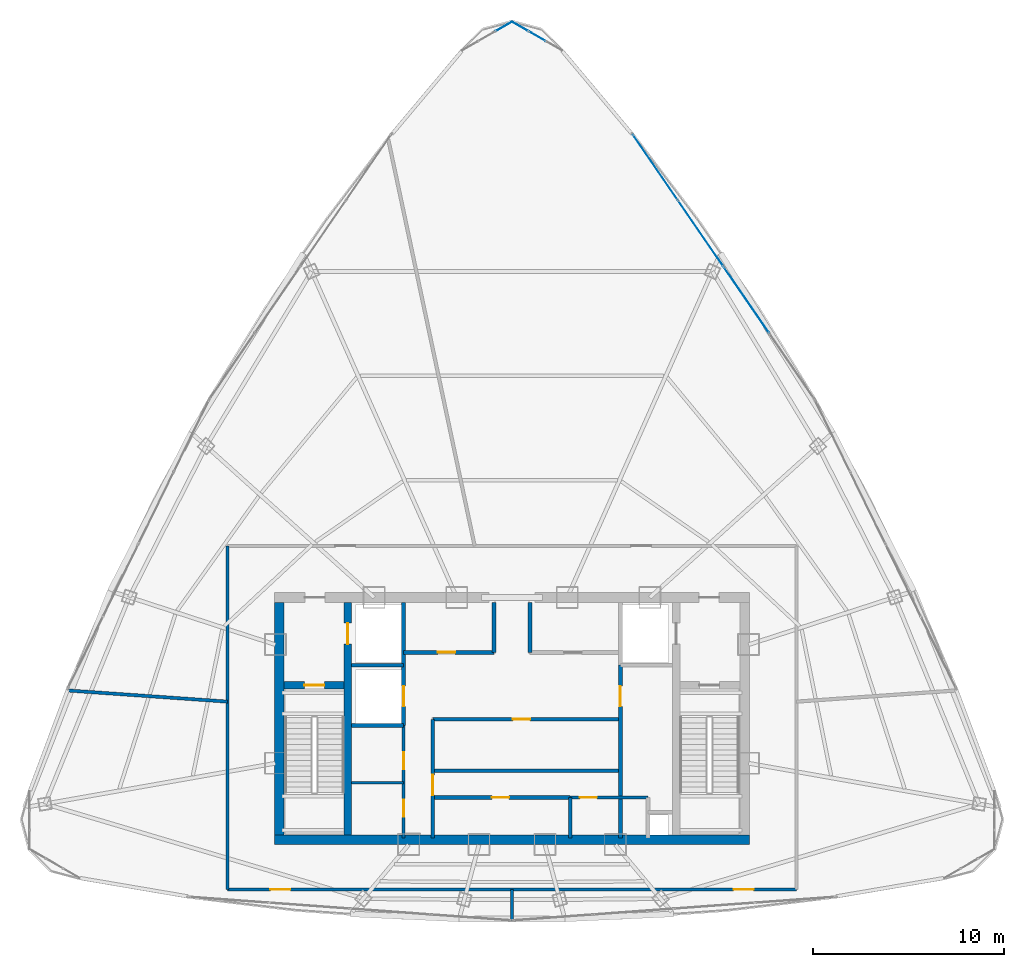
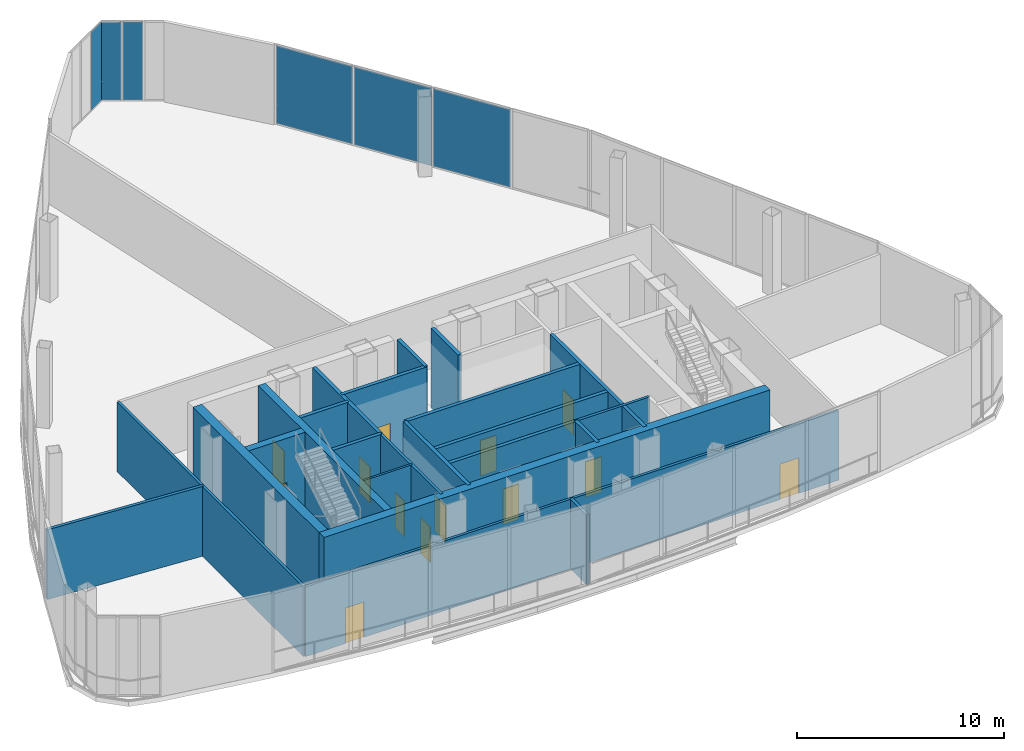
# One storey, part 29 of 33: 23 walls, 13 doors, 6 plates, 13 openings, 3 elements without a shape of their own.
"""IFC4 building model written with IfcOpenShell, lengths in metres."""

from ifc_helpers import new_model, si_unit, direction, frame, frame_2d, origin, origin_with_axes, origin_2d, place, context, subcontext, project, spatial, rectangle, extrude, source, transform, mapped, material, layer, layer_set, type_object, element, fill, aggregate, save


model = new_model("IFC4")

# Units and contexts
model_context = context("Model", 3, precision=1e-05, world=origin(), true_north=direction((0.0, 1.0)))
body_context = subcontext(model_context, "Body", "Model", "MODEL_VIEW")
ifc_project = project(units=[si_unit("LENGTHUNIT", "METRE"), si_unit("AREAUNIT", "SQUARE_METRE"), si_unit("VOLUMEUNIT", "CUBIC_METRE"), si_unit("PLANEANGLEUNIT", "RADIAN"), si_unit("MASSUNIT", "GRAM", prefix="KILO"), si_unit("THERMODYNAMICTEMPERATUREUNIT", "KELVIN"), si_unit("POWERUNIT", "WATT")], contexts=[model_context])

# Site, building, storey
site_placement = place(None, origin())
site = spatial("IfcSite", under=ifc_project, at=site_placement, CompositionType="ELEMENT")
building_placement = place(site_placement, origin())
building = spatial("IfcBuilding", under=site, at=building_placement, Name="Yunzhuo Pagoda Commons", CompositionType="ELEMENT")
storey_placement = place(building_placement, frame((0.0, 0.0, 386.760009765625)))
storey = spatial("IfcBuildingStorey", under=building, at=storey_placement, Name="L96", CompositionType="ELEMENT", Elevation=386.760009765625)

# Curtain wall, plates
ifc_material_1 = material(Name="Anodized aluminium 6063-T6", Category="aluminium")
ifc_layer_1 = layer(ifc_material_1, 0.179931640625)
ifc_layer_set_1 = layer_set([ifc_layer_1], Name="Anodized aluminium 6063-T6")
curtain_wall_type_1 = type_object("IfcCurtainWallType", Name="CW-CRN Crown Gable Glazing System", PredefinedType="NOTDEFINED", material=ifc_layer_set_1)
curtain_wall_1_placement = place(storey_placement, origin())
curtain_wall_1 = element("IfcCurtainWall", 1, at=curtain_wall_1_placement, inside=storey, type_object=curtain_wall_type_1, Name="L96 curtain wall CW-L96-CRNF2G2", PredefinedType="NOTDEFINED")
ifc_material_2 = material(Name="Tempered low-e double glazing", Category="glass")
ifc_layer_2 = layer(ifc_material_2, 0.030029296875)
ifc_layer_set_2 = layer_set([ifc_layer_2], Name="Tempered low-e double glazing")
plate_type_1 = type_object("IfcPlateType", Name="CW-CRN-P Low-E Double Glazing 30", PredefinedType="CURTAIN_PANEL", material=ifc_layer_set_2)
shared_shape_1 = source(origin(), body_context, "Body", "SweptSolid", [
    extrude(rectangle(XDim=4.125244140625, YDim=0.028076171875, at=origin_2d()), origin(), (0.0, 0.0, 1.0), 4.60009765625),
])
plate_1_placement = place(storey_placement, frame((55.507080078125, 62.74169921875, 0.06005859375), z_axis=(0.0, 0.0, 1.0), x_axis=(-0.566158911561, 0.824296116005, 0.0)))
plate_1 = element("IfcPlate", 2, at=plate_1_placement, type_object=plate_type_1, Name="CW panel 4.1", PredefinedType="CURTAIN_PANEL", context=body_context, shape_type="MappedRepresentation", body=[
    mapped(shared_shape_1, transform((0.0, 0.0, 0.0), scale=1.0)),
])
shared_shape_2 = source(origin(), body_context, "Body", "SweptSolid", [
    extrude(rectangle(XDim=4.15771484375, YDim=0.028076171875, at=origin_2d()), origin(), (0.0, 0.0, 1.0), 4.60009765625),
])
plate_2_placement = place(storey_placement, frame((60.279296875, 55.793701171875, 0.06005859375), z_axis=(0.0, 0.0, 1.0), x_axis=(-0.566158911561, 0.824296116005, 0.0)))
plate_2 = element("IfcPlate", 3, at=plate_2_placement, type_object=plate_type_1, Name="CW panel 2.1", PredefinedType="CURTAIN_PANEL", context=body_context, shape_type="MappedRepresentation", body=[
    mapped(shared_shape_2, transform((0.0, 0.0, 0.0), scale=1.0)),
])
plate_3_placement = place(storey_placement, frame((57.888671875, 59.2744140625, 0.06005859375), z_axis=(0.0, 0.0, 1.0), x_axis=(-0.566158911561, 0.824296116005, 0.0)))
plate_3 = element("IfcPlate", 4, at=plate_3_placement, type_object=plate_type_1, Name="CW panel 3.1", PredefinedType="CURTAIN_PANEL", context=body_context, shape_type="MappedRepresentation", body=[
    mapped(shared_shape_2, transform((0.0, 0.0, 0.0), scale=1.0)),
])
aggregate(curtain_wall_1, [plate_2, plate_3, plate_1])

# Curtain wall, plate
ifc_layer_3 = layer(ifc_material_1, 0.1298828125)
ifc_layer_set_3 = layer_set([ifc_layer_3], Name="Anodized aluminium 6063-T6")
curtain_wall_type_2 = type_object("IfcCurtainWallType", Name="CW-VTX Rounded Corner Curtain Wall", PredefinedType="NOTDEFINED", material=ifc_layer_set_3)
curtain_wall_2_placement = place(storey_placement, origin())
curtain_wall_2 = element("IfcCurtainWall", 5, at=curtain_wall_2_placement, inside=storey, type_object=curtain_wall_type_2, Name="L96 curtain wall CW-L96-CRNV3S1", PredefinedType="NOTDEFINED")
ifc_layer_4 = layer(ifc_material_2, 0.02587890625)
ifc_layer_set_4 = layer_set([ifc_layer_4], Name="Tempered low-e double glazing")
plate_type_2 = type_object("IfcPlateType", Name="CW-VTX-P Low-E Double Glazing 26", PredefinedType="CURTAIN_PANEL", material=ifc_layer_set_4)
shared_shape_3 = source(origin(), body_context, "Body", "SweptSolid", [
    extrude(rectangle(XDim=0.957275390625, YDim=0.028076171875, at=origin_2d()), origin(), (0.0, 0.0, 1.0), 4.610107421875),
])
plate_4_placement = place(storey_placement, frame((48.4228515625, 70.122314453125, 0.05517578125), z_axis=(0.0, 0.0, 1.0), x_axis=(-0.867213359154, 0.497936732633, 0.0)))
plate_4 = element("IfcPlate", 6, at=plate_4_placement, type_object=plate_type_2, Name="CW panel 3.1", PredefinedType="CURTAIN_PANEL", context=body_context, shape_type="MappedRepresentation", body=[
    mapped(shared_shape_3, transform((0.0, 0.0, 0.0), scale=1.0)),
])

curtain_wall_3_placement = place(storey_placement, origin())
curtain_wall_3 = element("IfcCurtainWall", 7, at=curtain_wall_3_placement, inside=storey, type_object=curtain_wall_type_2, Name="L96 curtain wall CW-L96-CRNV3S2", PredefinedType="NOTDEFINED")
plate_5_placement = place(storey_placement, frame((47.5771484375, 70.122314453125, 0.05517578125), z_axis=(0.0, 0.0, 1.0), x_axis=(-0.867213359154, -0.497936732633, 0.0)))
plate_5 = element("IfcPlate", 8, at=plate_5_placement, type_object=plate_type_2, Name="CW panel 1.1", PredefinedType="CURTAIN_PANEL", context=body_context, shape_type="MappedRepresentation", body=[
    mapped(shared_shape_3, transform((0.0, 0.0, 0.0), scale=1.0)),
])
aggregate(curtain_wall_3, [plate_5])

# Plate
shared_shape_4 = source(origin(), body_context, "Body", "SweptSolid", [
    extrude(rectangle(XDim=0.984619140625, YDim=0.028076171875, at=origin_2d()), origin(), (0.0, 0.0, 1.0), 4.610107421875),
])
plate_6_placement = place(storey_placement, frame((49.312744140625, 69.611328125, 0.05517578125), z_axis=(0.0, 0.0, 1.0), x_axis=(-0.867213359154, 0.497936732633, 0.0)))
plate_6 = element("IfcPlate", 9, at=plate_6_placement, type_object=plate_type_2, Name="CW panel 2.1", PredefinedType="CURTAIN_PANEL", context=body_context, shape_type="MappedRepresentation", body=[
    mapped(shared_shape_4, transform((0.0, 0.0, 0.0), scale=1.0)),
])

aggregate(curtain_wall_2, [plate_6, plate_4])

# Walls
ifc_material_3 = material(Name="Concrete C50", Category="concrete")
ifc_layer_5 = layer(ifc_material_3, 0.5)
ifc_layer_set_5 = layer_set([ifc_layer_5], Name="Concrete C50")
wall_type_1 = type_object("IfcWallType", Name="W-C03 Upper Core Shear Wall 500", PredefinedType="SHEAR", material=ifc_layer_set_5)
wall_1_placement = place(storey_placement, frame((35.550048828125, 27.5, 0.0), z_axis=(0.0, 0.0, 1.0), x_axis=(1.0, 0.0, 0.0)))
element("IfcWall", 10, at=wall_1_placement, inside=storey, type_object=wall_type_1, Name="L96 core shear wall S", PredefinedType="SHEAR", context=body_context, shape_type="SweptSolid", body=[
    extrude(rectangle(XDim=24.89990234375, YDim=0.5, at=frame_2d((12.449951171875, 0.0))), origin(), (0.0, 0.0, 1.0), 4.719970703125),
])
wall_2_placement = place(storey_placement, frame((35.800048828125, 27.75, 0.0), z_axis=(0.0, 0.0, 1.0), x_axis=(0.0, 1.0, 0.0)))
element("IfcWall", 11, at=wall_2_placement, inside=storey, type_object=wall_type_1, Name="L96 core shear wall W", PredefinedType="SHEAR", context=body_context, shape_type="SweptSolid", body=[
    extrude(rectangle(XDim=12.199951171875, YDim=0.5, at=frame_2d((6.10009765625, 0.0))), origin(), (0.0, 0.0, 1.0), 4.719970703125),
])

# Wall, openings, doors
ifc_material_4 = material(Name="Gypsum plasterboard on acoustic stud")
ifc_layer_6 = layer(ifc_material_4, 0.14990234375)
ifc_layer_set_6 = layer_set([ifc_layer_6], Name="Gypsum plasterboard on acoustic stud")
wall_type_2 = type_object("IfcWallType", Name="W-COR3 High-Zone Rated Corridor Wall 150", PredefinedType="PARTITIONING", material=ifc_layer_set_6)
wall_3_placement = place(storey_placement, frame((42.320068359375, 27.60009765625, 0.0), z_axis=(0.0, 0.0, 1.0), x_axis=(0.0, 1.0, 0.0)))
wall_3 = element("IfcWall", 12, at=wall_3_placement, inside=storey, type_object=wall_type_2, Name="L96 interior wall IW-L96-CSWE", PredefinedType="PARTITIONING", context=body_context, shape_type="SweptSolid", body=[
    extrude(rectangle(XDim=5.89990234375, YDim=0.14990234375, at=frame_2d((2.949951171875, 0.0))), origin(), (0.0, 0.0, 1.0), 4.719970703125),
])
opening_1_placement = place(wall_3_placement, frame((1.10009765625, 0.0, 0.0)))
opening_1 = element("IfcOpeningElement", 13, at=opening_1_placement, cuts=wall_3, Name="Opening D-03", PredefinedType="OPENING", context=body_context, shape_type="SweptSolid", body=[
    extrude(rectangle(XDim=0.89990234375, YDim=2.10009765625, at=frame_2d((0.449951171875, 1.050048828125))), frame((0.0, 0.0849609375, 0.0), z_axis=(0.0, -1.0, 0.0), x_axis=(1.0, 0.0, 0.0)), (0.0, 0.0, 1.0), 0.169921875),
])
opening_2_placement = place(wall_3_placement, frame((3.60009765625, 0.0, 0.0)))
opening_2 = element("IfcOpeningElement", 14, at=opening_2_placement, cuts=wall_3, Name="Opening D-03", PredefinedType="OPENING", context=body_context, shape_type="SweptSolid", body=[
    extrude(rectangle(XDim=0.89990234375, YDim=2.10009765625, at=frame_2d((0.449951171875, 1.050048828125))), frame((0.0, 0.0849609375, 0.0), z_axis=(0.0, -1.0, 0.0), x_axis=(1.0, 0.0, 0.0)), (0.0, 0.0, 1.0), 0.169921875),
])
ifc_material_5 = material(Name="Galvanized fire-resisting metal leaf")
door_type_1 = type_object("IfcDoorType", Name="D-03 Core Service Fire Door 900x2100", OperationType="NOTDEFINED", PredefinedType="DOOR", material=ifc_material_5)
shared_shape_5 = source(origin(), body_context, "Body", "SweptSolid", [
    extrude(rectangle(XDim=0.89990234375, YDim=2.10009765625, at=frame_2d((0.449951171875, 1.050048828125))), frame((0.0, 0.02490234375, 0.0), z_axis=(0.0, -1.0, 0.0), x_axis=(1.0, 0.0, 0.0)), (0.0, 0.0, 1.0), 0.050048828125),
])
door_1_placement = place(opening_1_placement, origin_with_axes())
door_1 = element("IfcDoor", 15, at=door_1_placement, inside=storey, type_object=door_type_1, Name="L96 housekeeping door", OperationType="SINGLE_SWING_RIGHT", OverallHeight=2.10009765625, OverallWidth=0.89990234375, PredefinedType="DOOR", context=body_context, shape_type="MappedRepresentation", body=[
    mapped(shared_shape_5, transform((0.0, 0.0, 0.0), scale=1.0)),
])
fill(opening_1, door_1)
door_2_placement = place(opening_2_placement, origin_with_axes())
door_2 = element("IfcDoor", 16, at=door_2_placement, inside=storey, type_object=door_type_1, Name="L96 core control door", OperationType="SINGLE_SWING_RIGHT", OverallHeight=2.10009765625, OverallWidth=0.89990234375, PredefinedType="DOOR", context=body_context, shape_type="MappedRepresentation", body=[
    mapped(shared_shape_5, transform((0.0, 0.0, 0.0), scale=1.0)),
])
fill(opening_2, door_2)

# Wall, opening, door
wall_4_placement = place(storey_placement, frame((51.050048828125, 29.719970703125, 0.0), z_axis=(0.0, 0.0, 1.0), x_axis=(1.0, 0.0, 0.0)))
wall_4 = element("IfcWall", 17, at=wall_4_placement, inside=storey, type_object=wall_type_2, Name="L96 interior wall IW-L96-CSES", PredefinedType="PARTITIONING", context=body_context, shape_type="SweptSolid", body=[
    extrude(rectangle(XDim=4.070068359375, YDim=0.14990234375, at=frame_2d((2.03515625, 0.0))), origin(), (0.0, 0.0, 1.0), 4.719970703125),
])
opening_3_placement = place(wall_4_placement, frame((0.5, 0.0, 0.0)))
opening_3 = element("IfcOpeningElement", 18, at=opening_3_placement, cuts=wall_4, Name="Opening D-03", PredefinedType="OPENING", context=body_context, shape_type="SweptSolid", body=[
    extrude(rectangle(XDim=0.89990234375, YDim=2.10009765625, at=frame_2d((0.449951171875, 1.050048828125))), frame((0.0, 0.0849609375, 0.0), z_axis=(0.0, -1.0, 0.0), x_axis=(1.0, 0.0, 0.0)), (0.0, 0.0, 1.0), 0.169921875),
])
door_3_placement = place(opening_3_placement, origin_with_axes())
door_3 = element("IfcDoor", 19, at=door_3_placement, inside=storey, type_object=door_type_1, Name="L96 IT closet door", OperationType="SINGLE_SWING_LEFT", OverallHeight=2.10009765625, OverallWidth=0.89990234375, PredefinedType="DOOR", context=body_context, shape_type="MappedRepresentation", body=[
    mapped(shared_shape_5, transform((0.0, 0.0, 0.0), scale=1.0)),
])
fill(opening_3, door_3)

# Wall, openings, doors
wall_5_placement = place(storey_placement, frame((33.10009765625, 24.89990234375, 0.0), z_axis=(0.0, 0.0, 1.0), x_axis=(1.0, 0.0, 0.0)))
wall_5 = element("IfcWall", 20, at=wall_5_placement, inside=storey, type_object=wall_type_2, Name="L96 interior wall IW-L96-SCW01", PredefinedType="PARTITIONING", context=body_context, shape_type="SweptSolid", body=[
    extrude(rectangle(XDim=29.7998046875, YDim=0.14990234375, at=frame_2d((14.89990234375, 0.0))), origin(), (0.0, 0.0, 1.0), 4.119873046875),
])
opening_4_placement = place(wall_5_placement, frame((2.236328125, 0.0, 0.0)))
opening_4 = element("IfcOpeningElement", 21, at=opening_4_placement, cuts=wall_5, Name="Opening D-02", PredefinedType="OPENING", context=body_context, shape_type="SweptSolid", body=[
    extrude(rectangle(XDim=1.050048828125, YDim=2.10009765625, at=frame_2d((0.52490234375, 1.050048828125))), frame((0.0, 0.0849609375, 0.0), z_axis=(0.0, -1.0, 0.0), x_axis=(1.0, 0.0, 0.0)), (0.0, 0.0, 1.0), 0.169921875),
])
opening_5_placement = place(wall_5_placement, frame((26.513671875, 0.0, 0.0)))
opening_5 = element("IfcOpeningElement", 22, at=opening_5_placement, cuts=wall_5, Name="Opening D-02", PredefinedType="OPENING", context=body_context, shape_type="SweptSolid", body=[
    extrude(rectangle(XDim=1.050048828125, YDim=2.10009765625, at=frame_2d((0.52490234375, 1.050048828125))), frame((0.0, 0.0849609375, 0.0), z_axis=(0.0, -1.0, 0.0), x_axis=(1.0, 0.0, 0.0)), (0.0, 0.0, 1.0), 0.169921875),
])
door_type_2 = type_object("IfcDoorType", Name="D-02 Firefighting Lobby & Refuge Fire Door 1050x2100", OperationType="NOTDEFINED", PredefinedType="DOOR", material=ifc_material_5)
shared_shape_6 = source(origin(), body_context, "Body", "SweptSolid", [
    extrude(rectangle(XDim=1.050048828125, YDim=2.10009765625, at=frame_2d((0.52490234375, 1.050048828125))), frame((0.0, 0.02490234375, 0.0), z_axis=(0.0, -1.0, 0.0), x_axis=(1.0, 0.0, 0.0)), (0.0, 0.0, 1.0), 0.050048828125),
])
door_4_placement = place(opening_4_placement, origin_with_axes())
door_4 = element("IfcDoor", 23, at=door_4_placement, inside=storey, type_object=door_type_2, Name="L96 Primary Pump and Heat-Recovery Plant Room door", OperationType="SINGLE_SWING_LEFT", OverallHeight=2.10009765625, OverallWidth=1.050048828125, PredefinedType="DOOR", context=body_context, shape_type="MappedRepresentation", body=[
    mapped(shared_shape_6, transform((0.0, 0.0, 0.0), scale=1.0)),
])
fill(opening_4, door_4)
door_5_placement = place(opening_5_placement, origin_with_axes())
door_5 = element("IfcDoor", 24, at=door_5_placement, inside=storey, type_object=door_type_2, Name="L96 Crown Switchgear and Control Plant Room door", OperationType="SINGLE_SWING_RIGHT", OverallHeight=2.10009765625, OverallWidth=1.050048828125, PredefinedType="DOOR", context=body_context, shape_type="MappedRepresentation", body=[
    mapped(shared_shape_6, transform((0.0, 0.0, 0.0), scale=1.0)),
])
fill(opening_5, door_5)

# Walls
wall_6_placement = place(storey_placement, frame((33.10009765625, 42.89990234375, 0.0), z_axis=(0.0, 0.0, 1.0), x_axis=(0.0, -1.0, 0.0)))
element("IfcWall", 25, at=wall_6_placement, inside=storey, type_object=wall_type_2, Name="L96 interior wall IW-L96-SCW04", PredefinedType="PARTITIONING", context=body_context, shape_type="SweptSolid", body=[
    extrude(rectangle(XDim=18.0, YDim=0.14990234375, at=frame_2d((9.0, 0.0))), origin(), (0.0, 0.0, 1.0), 4.119873046875),
])
ifc_layer_7 = layer(ifc_material_4, 0.1201171875)
ifc_layer_set_7 = layer_set([ifc_layer_7], Name="Gypsum plasterboard on acoustic stud")
wall_type_3 = type_object("IfcWallType", Name="W-PRT1 Suite & Bathroom Partition 120", PredefinedType="PARTITIONING", material=ifc_layer_set_7)
wall_7_placement = place(storey_placement, frame((39.60009765625, 30.5, 0.0), z_axis=(0.0, 0.0, 1.0), x_axis=(1.0, 0.0, 0.0)))
element("IfcWall", 26, at=wall_7_placement, inside=storey, type_object=wall_type_3, Name="L96 interior wall IW-L96-CB1", PredefinedType="PARTITIONING", context=body_context, shape_type="SweptSolid", body=[
    extrude(rectangle(XDim=2.719970703125, YDim=0.1201171875, at=frame_2d((1.35986328125, 0.0))), origin(), (0.0, 0.0, 1.0), 4.719970703125),
])
ifc_layer_8 = layer(ifc_material_4, 0.169921875)
ifc_layer_set_8 = layer_set([ifc_layer_8], Name="Gypsum plasterboard on acoustic stud")
wall_type_4 = type_object("IfcWallType", Name="W-PRT4 High-Zone Demising Wall 170", PredefinedType="PARTITIONING", material=ifc_layer_set_8)
wall_8_placement = place(storey_placement, frame((33.10009765625, 34.741943359375, 0.0), z_axis=(0.0, 0.0, 1.0), x_axis=(-0.997563993403, 0.069757286835, 0.0)))
element("IfcWall", 27, at=wall_8_placement, inside=storey, type_object=wall_type_4, Name="L96 interior wall IW-L96-SRAD3", PredefinedType="PARTITIONING", context=body_context, shape_type="SweptSolid", body=[
    extrude(rectangle(XDim=8.420654296875, YDim=0.169921875, at=frame_2d((4.21044921875, 0.0))), origin(), (0.0, 0.0, 1.0), 4.119873046875),
])
wall_9_placement = place(storey_placement, frame((48.0, 24.89990234375, 0.0), z_axis=(0.0, 0.0, 1.0), x_axis=(0.0, -1.0, 0.0)))
element("IfcWall", 28, at=wall_9_placement, inside=storey, type_object=wall_type_4, Name="L96 interior wall IW-L96-SRAD4", PredefinedType="PARTITIONING", context=body_context, shape_type="SweptSolid", body=[
    extrude(rectangle(XDim=1.61572265625, YDim=0.169921875, at=frame_2d((0.807861328125, 0.0))), origin(), (0.0, 0.0, 1.0), 4.119873046875),
])

# Wall, opening, door
ifc_material_6 = material(Name="Concrete C60", Category="concrete")
ifc_layer_9 = layer(ifc_material_6, 0.39990234375)
ifc_layer_set_9 = layer_set([ifc_layer_9], Name="Concrete C60")
wall_type_5 = type_object("IfcWallType", Name="W-S01 Internal Core Shear Web 400", PredefinedType="SHEAR", material=ifc_layer_set_9)
wall_10_placement = place(storey_placement, frame((39.39990234375, 27.75, 0.0), z_axis=(0.0, 0.0, 1.0), x_axis=(0.0, 1.0, 0.0)))
wall_10 = element("IfcWall", 29, at=wall_10_placement, inside=storey, type_object=wall_type_5, Name="L96 core shear wall WEBW", PredefinedType="SHEAR", context=body_context, shape_type="SweptSolid", body=[
    extrude(rectangle(XDim=12.199951171875, YDim=0.39990234375, at=frame_2d((6.10009765625, 0.0))), origin(), (0.0, 0.0, 1.0), 4.719970703125),
])
opening_6_placement = place(wall_10_placement, frame((10.0, 0.0, 0.0)))
opening_6 = element("IfcOpeningElement", 30, at=opening_6_placement, cuts=wall_10, Name="Opening LD-01", PredefinedType="OPENING", context=body_context, shape_type="SweptSolid", body=[
    extrude(rectangle(XDim=1.10009765625, YDim=2.10009765625, at=frame_2d((0.550048828125, 1.050048828125))), frame((0.0, 0.2099609375, 0.0), z_axis=(0.0, -1.0, 0.0), x_axis=(1.0, 0.0, 0.0)), (0.0, 0.0, 1.0), 0.419921875),
])
door_type_3 = type_object("IfcDoorType", Name="LD-01 Firefighting Lift Landing Door 1100x2100", OperationType="DOUBLE_DOOR_SLIDING", PredefinedType="DOOR", material=ifc_material_5)
shared_shape_7 = source(origin(), body_context, "Body", "SweptSolid", [
    extrude(rectangle(XDim=1.10009765625, YDim=2.10009765625, at=frame_2d((0.550048828125, 1.050048828125))), frame((0.0, 0.02490234375, 0.0), z_axis=(0.0, -1.0, 0.0), x_axis=(1.0, 0.0, 0.0)), (0.0, 0.0, 1.0), 0.050048828125),
])
door_6_placement = place(opening_6_placement, frame((1.10009765625, 0.0, 0.0), z_axis=(0.0, 0.0, 1.0), x_axis=(-1.0, 0.0, 0.0)))
door_6 = element("IfcDoor", 31, at=door_6_placement, inside=storey, type_object=door_type_3, Name="L96 Firefighting lift FL-1 landing door", OperationType="DOUBLE_DOOR_SLIDING", OverallHeight=2.10009765625, OverallWidth=1.10009765625, PredefinedType="DOOR", context=body_context, shape_type="MappedRepresentation", body=[
    mapped(shared_shape_7, transform((0.0, 0.0, 0.0), scale=1.0)),
])
fill(opening_6, door_6)

wall_11_placement = place(storey_placement, frame((36.050048828125, 35.60009765625, 0.0), z_axis=(0.0, 0.0, 1.0), x_axis=(1.0, 0.0, 0.0)))
wall_11 = element("IfcWall", 32, at=wall_11_placement, inside=storey, type_object=wall_type_5, Name="L96 core shear wall STW", PredefinedType="SHEAR", context=body_context, shape_type="SweptSolid", body=[
    extrude(rectangle(XDim=3.14990234375, YDim=0.39990234375, at=frame_2d((1.574951171875, 0.0))), origin(), (0.0, 0.0, 1.0), 4.719970703125),
])
opening_7_placement = place(wall_11_placement, frame((1.070068359375, 0.0, 0.0)))
opening_7 = element("IfcOpeningElement", 33, at=opening_7_placement, cuts=wall_11, Name="Opening D-01", PredefinedType="OPENING", context=body_context, shape_type="SweptSolid", body=[
    extrude(rectangle(XDim=1.050048828125, YDim=2.10009765625, at=frame_2d((0.52490234375, 1.050048828125))), frame((0.0, 0.2099609375, 0.0), z_axis=(0.0, -1.0, 0.0), x_axis=(1.0, 0.0, 0.0)), (0.0, 0.0, 1.0), 0.419921875),
])
door_type_4 = type_object("IfcDoorType", Name="D-01 Smokeproof Stair Fire Door 1050x2100", OperationType="NOTDEFINED", PredefinedType="DOOR", material=ifc_material_5)
door_7_placement = place(opening_7_placement, frame((1.050048828125, 0.0, 0.0), z_axis=(0.0, 0.0, 1.0), x_axis=(-1.0, 0.0, 0.0)))
door_7 = element("IfcDoor", 34, at=door_7_placement, inside=storey, type_object=door_type_4, Name="L96 Stair ST1 fire door", OperationType="SINGLE_SWING_LEFT", OverallHeight=2.10009765625, OverallWidth=1.050048828125, PredefinedType="DOOR", context=body_context, shape_type="MappedRepresentation", body=[
    mapped(shared_shape_6, transform((0.0, 0.0, 0.0), scale=1.0)),
])
fill(opening_7, door_7)

ifc_material_7 = material(Name="Concrete C40", Category="concrete")
ifc_layer_10 = layer(ifc_material_7, 0.199951171875)
ifc_layer_set_10 = layer_set([ifc_layer_10], Name="Concrete C40")
wall_type_6 = type_object("IfcWallType", Name="W-SHF Shaft & Stair Enclosure Wall 200", PredefinedType="SOLIDWALL", material=ifc_layer_set_10)
wall_12_placement = place(storey_placement, frame((42.320068359375, 33.5, 0.0), z_axis=(0.0, 0.0, 1.0), x_axis=(0.0, 1.0, 0.0)))
wall_12 = element("IfcWall", 35, at=wall_12_placement, inside=storey, type_object=wall_type_6, Name="L96 interior wall IW-L96-FL1E", PredefinedType="SOLIDWALL", context=body_context, shape_type="SweptSolid", body=[
    extrude(rectangle(XDim=6.449951171875, YDim=0.199951171875, at=frame_2d((3.22509765625, 0.0))), origin(), (0.0, 0.0, 1.0), 4.719970703125),
])
opening_8_placement = place(wall_12_placement, frame((1.0, 0.0, 0.0)))
opening_8 = element("IfcOpeningElement", 36, at=opening_8_placement, cuts=wall_12, Name="Opening LD-02", PredefinedType="OPENING", context=body_context, shape_type="SweptSolid", body=[
    extrude(rectangle(XDim=1.050048828125, YDim=2.10009765625, at=frame_2d((0.52490234375, 1.050048828125))), frame((0.0, 0.10986328125, 0.0), z_axis=(0.0, -1.0, 0.0), x_axis=(1.0, 0.0, 0.0)), (0.0, 0.0, 1.0), 0.219970703125),
])
door_type_5 = type_object("IfcDoorType", Name="LD-02 Passenger Lift Landing Door 1050x2100", OperationType="DOUBLE_DOOR_SLIDING", PredefinedType="DOOR", material=ifc_material_5)
door_8_placement = place(opening_8_placement, origin_with_axes())
door_8 = element("IfcDoor", 37, at=door_8_placement, inside=storey, type_object=door_type_5, Name="L96 Service lift SL-1 landing door", OperationType="DOUBLE_DOOR_SLIDING", OverallHeight=2.10009765625, OverallWidth=1.050048828125, PredefinedType="DOOR", context=body_context, shape_type="MappedRepresentation", body=[
    mapped(shared_shape_6, transform((0.0, 0.0, 0.0), scale=1.0)),
])
fill(opening_8, door_8)

# Walls
for number, where, z_axis, x_axis, name in (
    (38, (39.60009765625, 36.64990234375, 0.0), (0.0, 0.0, 1.0), (1.0, 0.0, 0.0), "L96 interior wall IW-L96-FL1S"),
    (39, (39.60009765625, 33.5, 0.0), (0.0, 0.0, 1.0), (1.0, 0.0, 0.0), "L96 interior wall IW-L96-SL1S"),
):
    element("IfcWall", number, at=place(storey_placement, frame(where, z_axis=z_axis, x_axis=x_axis)), inside=storey, type_object=wall_type_6, Name=name, PredefinedType="SOLIDWALL", context=body_context, shape_type="SweptSolid", body=[
        extrude(rectangle(XDim=2.719970703125, YDim=0.199951171875, at=frame_2d((1.35986328125, 0.0))), origin(), (0.0, 0.0, 1.0), 4.719970703125),
    ])

# Wall, opening, door
wall_13_placement = place(storey_placement, frame((42.320068359375, 37.320068359375, 0.0), z_axis=(0.0, 0.0, 1.0), x_axis=(1.0, 0.0, 0.0)))
wall_13 = element("IfcWall", 40, at=wall_13_placement, inside=storey, type_object=wall_type_6, Name="L96 interior wall IW-L96-LBNW", PredefinedType="SOLIDWALL", context=body_context, shape_type="SweptSolid", body=[
    extrude(rectangle(XDim=4.72998046875, YDim=0.199951171875, at=frame_2d((2.364990234375, 0.0))), origin(), (0.0, 0.0, 1.0), 4.719970703125),
])
opening_9_placement = place(wall_13_placement, frame((1.800048828125, 0.0, 0.0)))
opening_9 = element("IfcOpeningElement", 41, at=opening_9_placement, cuts=wall_13, Name="Opening D-03", PredefinedType="OPENING", context=body_context, shape_type="SweptSolid", body=[
    extrude(rectangle(XDim=0.89990234375, YDim=2.10009765625, at=frame_2d((0.449951171875, 1.050048828125))), frame((0.0, 0.10986328125, 0.0), z_axis=(0.0, -1.0, 0.0), x_axis=(1.0, 0.0, 0.0)), (0.0, 0.0, 1.0), 0.219970703125),
])
door_9_placement = place(opening_9_placement, frame((0.89990234375, 0.0, 0.0), z_axis=(0.0, 0.0, 1.0), x_axis=(-1.0, 0.0, 0.0)))
door_9 = element("IfcDoor", 42, at=door_9_placement, inside=storey, type_object=door_type_1, Name="L96 core west store door", OperationType="SINGLE_SWING_LEFT", OverallHeight=2.10009765625, OverallWidth=0.89990234375, PredefinedType="DOOR", context=body_context, shape_type="MappedRepresentation", body=[
    mapped(shared_shape_5, transform((0.0, 0.0, 0.0), scale=1.0)),
])
fill(opening_9, door_9)

# Walls
for number, where, z_axis, x_axis, name in (
    (43, (47.050048828125, 37.320068359375, 0.0), (0.0, 0.0, 1.0), (0.0, 1.0, 0.0), "L96 interior wall IW-L96-THRW"),
    (44, (48.949951171875, 37.320068359375, 0.0), (0.0, 0.0, 1.0), (0.0, 1.0, 0.0), "L96 interior wall IW-L96-THRE"),
):
    element("IfcWall", number, at=place(storey_placement, frame(where, z_axis=z_axis, x_axis=x_axis)), inside=storey, type_object=wall_type_6, Name=name, PredefinedType="SOLIDWALL", context=body_context, shape_type="SweptSolid", body=[
        extrude(rectangle(XDim=2.6298828125, YDim=0.199951171875, at=frame_2d((1.31494140625, 0.0))), origin(), (0.0, 0.0, 1.0), 4.719970703125),
    ])

# Wall, opening, door
wall_14_placement = place(storey_placement, frame((43.85009765625, 33.820068359375, 0.0), z_axis=(0.0, 0.0, 1.0), x_axis=(1.0, 0.0, 0.0)))
wall_14 = element("IfcWall", 45, at=wall_14_placement, inside=storey, type_object=wall_type_6, Name="L96 interior wall IW-L96-MLBS", PredefinedType="SOLIDWALL", context=body_context, shape_type="SweptSolid", body=[
    extrude(rectangle(XDim=9.829833984375, YDim=0.199951171875, at=frame_2d((4.9150390625, 0.0))), origin(), (0.0, 0.0, 1.0), 4.719970703125),
])
opening_10_placement = place(wall_14_placement, frame((4.199951171875, 0.0, 0.0)))
opening_10 = element("IfcOpeningElement", 46, at=opening_10_placement, cuts=wall_14, Name="Opening D-03", PredefinedType="OPENING", context=body_context, shape_type="SweptSolid", body=[
    extrude(rectangle(XDim=0.89990234375, YDim=2.10009765625, at=frame_2d((0.449951171875, 1.050048828125))), frame((0.0, 0.10986328125, 0.0), z_axis=(0.0, -1.0, 0.0), x_axis=(1.0, 0.0, 0.0)), (0.0, 0.0, 1.0), 0.219970703125),
])
door_10_placement = place(opening_10_placement, origin_with_axes())
door_10 = element("IfcDoor", 47, at=door_10_placement, inside=storey, type_object=door_type_1, Name="L96 core archive store door", OperationType="SINGLE_SWING_LEFT", OverallHeight=2.10009765625, OverallWidth=0.89990234375, PredefinedType="DOOR", context=body_context, shape_type="MappedRepresentation", body=[
    mapped(shared_shape_5, transform((0.0, 0.0, 0.0), scale=1.0)),
])
fill(opening_10, door_10)

wall_15_placement = place(storey_placement, frame((43.85009765625, 27.60009765625, 0.0), z_axis=(0.0, 0.0, 1.0), x_axis=(0.0, 1.0, 0.0)))
wall_15 = element("IfcWall", 48, at=wall_15_placement, inside=storey, type_object=wall_type_6, Name="L96 interior wall IW-L96-PLMW", PredefinedType="SOLIDWALL", context=body_context, shape_type="SweptSolid", body=[
    extrude(rectangle(XDim=6.219970703125, YDim=0.199951171875, at=frame_2d((3.10986328125, 0.0))), origin(), (0.0, 0.0, 1.0), 4.719970703125),
])
opening_11_placement = place(wall_15_placement, frame((2.25, 0.0, 0.0)))
opening_11 = element("IfcOpeningElement", 49, at=opening_11_placement, cuts=wall_15, Name="Opening D-02", PredefinedType="OPENING", context=body_context, shape_type="SweptSolid", body=[
    extrude(rectangle(XDim=1.050048828125, YDim=2.10009765625, at=frame_2d((0.52490234375, 1.050048828125))), frame((0.0, 0.10986328125, 0.0), z_axis=(0.0, -1.0, 0.0), x_axis=(1.0, 0.0, 0.0)), (0.0, 0.0, 1.0), 0.219970703125),
])
door_11_placement = place(opening_11_placement, frame((1.050048828125, 0.0, 0.0), z_axis=(0.0, 0.0, 1.0), x_axis=(-1.0, 0.0, 0.0)))
door_11 = element("IfcDoor", 50, at=door_11_placement, inside=storey, type_object=door_type_2, Name="L96 High-bank hall west door", OperationType="SINGLE_SWING_LEFT", OverallHeight=2.10009765625, OverallWidth=1.050048828125, PredefinedType="DOOR", context=body_context, shape_type="MappedRepresentation", body=[
    mapped(shared_shape_6, transform((0.0, 0.0, 0.0), scale=1.0)),
])
fill(opening_11, door_11)

wall_16_placement = place(storey_placement, frame((53.679931640625, 27.60009765625, 0.0), z_axis=(0.0, 0.0, 1.0), x_axis=(0.0, 1.0, 0.0)))
wall_16 = element("IfcWall", 51, at=wall_16_placement, inside=storey, type_object=wall_type_6, Name="L96 interior wall IW-L96-PLME", PredefinedType="SOLIDWALL", context=body_context, shape_type="SweptSolid", body=[
    extrude(rectangle(XDim=9.0498046875, YDim=0.199951171875, at=frame_2d((4.52490234375, 0.0))), origin(), (0.0, 0.0, 1.0), 4.719970703125),
])
opening_12_placement = place(wall_16_placement, frame((6.89990234375, 0.0, 0.0)))
opening_12 = element("IfcOpeningElement", 52, at=opening_12_placement, cuts=wall_16, Name="Opening D-02", PredefinedType="OPENING", context=body_context, shape_type="SweptSolid", body=[
    extrude(rectangle(XDim=1.050048828125, YDim=2.10009765625, at=frame_2d((0.52490234375, 1.050048828125))), frame((0.0, 0.10986328125, 0.0), z_axis=(0.0, -1.0, 0.0), x_axis=(1.0, 0.0, 0.0)), (0.0, 0.0, 1.0), 0.219970703125),
])
door_12_placement = place(opening_12_placement, origin_with_axes())
door_12 = element("IfcDoor", 53, at=door_12_placement, inside=storey, type_object=door_type_2, Name="L96 High-bank lift hall door", OperationType="SINGLE_SWING_RIGHT", OverallHeight=2.10009765625, OverallWidth=1.050048828125, PredefinedType="DOOR", context=body_context, shape_type="MappedRepresentation", body=[
    mapped(shared_shape_6, transform((0.0, 0.0, 0.0), scale=1.0)),
])
fill(opening_12, door_12)

wall_17_placement = place(storey_placement, frame((43.85009765625, 29.719970703125, 0.0), z_axis=(0.0, 0.0, 1.0), x_axis=(1.0, 0.0, 0.0)))
wall_17 = element("IfcWall", 54, at=wall_17_placement, inside=storey, type_object=wall_type_6, Name="L96 interior wall IW-L96-PLHN", PredefinedType="SOLIDWALL", context=body_context, shape_type="SweptSolid", body=[
    extrude(rectangle(XDim=7.199951171875, YDim=0.199951171875, at=frame_2d((3.60009765625, 0.0))), origin(), (0.0, 0.0, 1.0), 4.719970703125),
])
opening_13_placement = place(wall_17_placement, frame((3.10009765625, 0.0, 0.0)))
opening_13 = element("IfcOpeningElement", 55, at=opening_13_placement, cuts=wall_17, Name="Opening D-03", PredefinedType="OPENING", context=body_context, shape_type="SweptSolid", body=[
    extrude(rectangle(XDim=0.89990234375, YDim=2.10009765625, at=frame_2d((0.449951171875, 1.050048828125))), frame((0.0, 0.10986328125, 0.0), z_axis=(0.0, -1.0, 0.0), x_axis=(1.0, 0.0, 0.0)), (0.0, 0.0, 1.0), 0.219970703125),
])
door_13_placement = place(opening_13_placement, origin_with_axes())
door_13 = element("IfcDoor", 56, at=door_13_placement, inside=storey, type_object=door_type_1, Name="L96 plumbing store door", OperationType="SINGLE_SWING_LEFT", OverallHeight=2.10009765625, OverallWidth=0.89990234375, PredefinedType="DOOR", context=body_context, shape_type="MappedRepresentation", body=[
    mapped(shared_shape_5, transform((0.0, 0.0, 0.0), scale=1.0)),
])
fill(opening_13, door_13)

# Walls
wall_18_placement = place(storey_placement, frame((51.050048828125, 27.60009765625, 0.0), z_axis=(0.0, 0.0, 1.0), x_axis=(0.0, 1.0, 0.0)))
element("IfcWall", 57, at=wall_18_placement, inside=storey, type_object=wall_type_6, Name="L96 interior wall IW-L96-PLHE", PredefinedType="SOLIDWALL", context=body_context, shape_type="SweptSolid", body=[
    extrude(rectangle(XDim=2.119873046875, YDim=0.199951171875, at=frame_2d((1.06005859375, 0.0))), origin(), (0.0, 0.0, 1.0), 4.719970703125),
])
wall_19_placement = place(storey_placement, frame((43.85009765625, 31.1201171875, 0.0), z_axis=(0.0, 0.0, 1.0), x_axis=(1.0, 0.0, 0.0)))
element("IfcWall", 58, at=wall_19_placement, inside=storey, type_object=wall_type_6, Name="L96 interior wall IW-L96-PLMS2", PredefinedType="SOLIDWALL", context=body_context, shape_type="SweptSolid", body=[
    extrude(rectangle(XDim=9.829833984375, YDim=0.199951171875, at=frame_2d((4.9150390625, 0.0))), origin(), (0.0, 0.0, 1.0), 4.719970703125),
])

save(model, "model.ifc")
